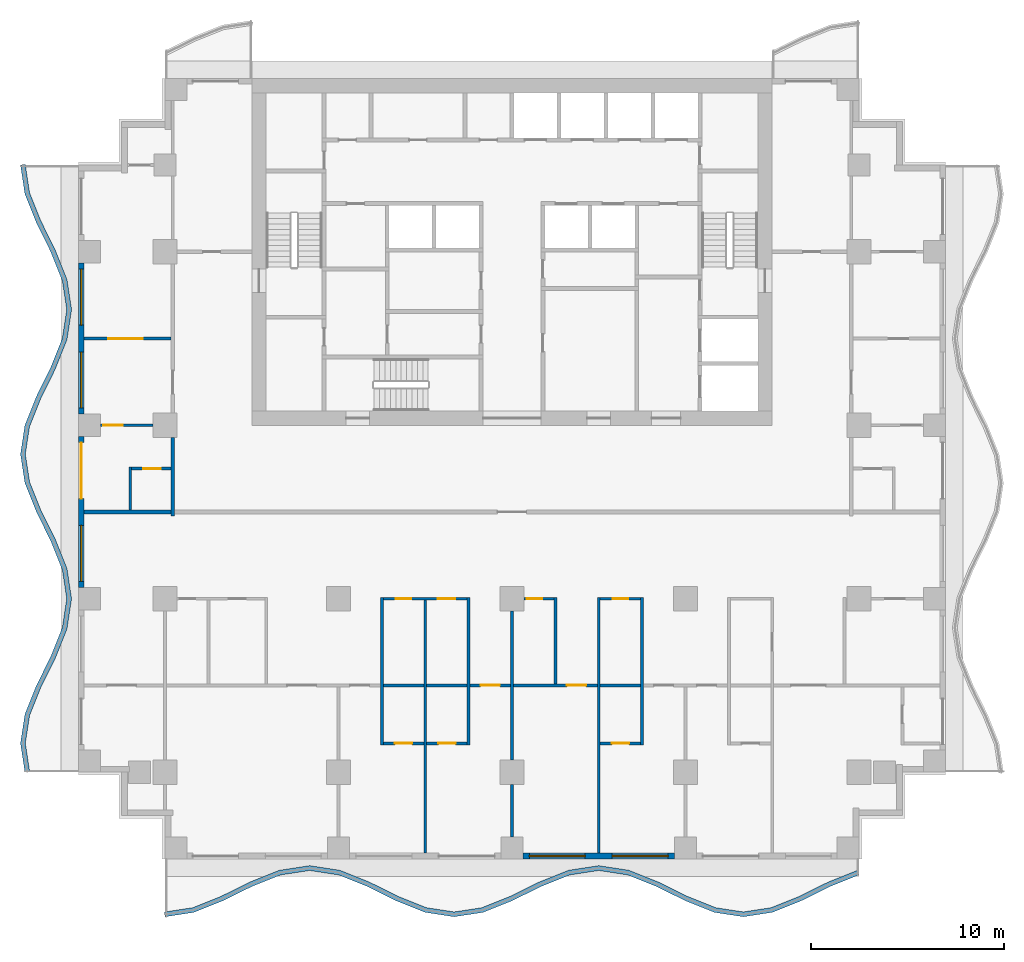
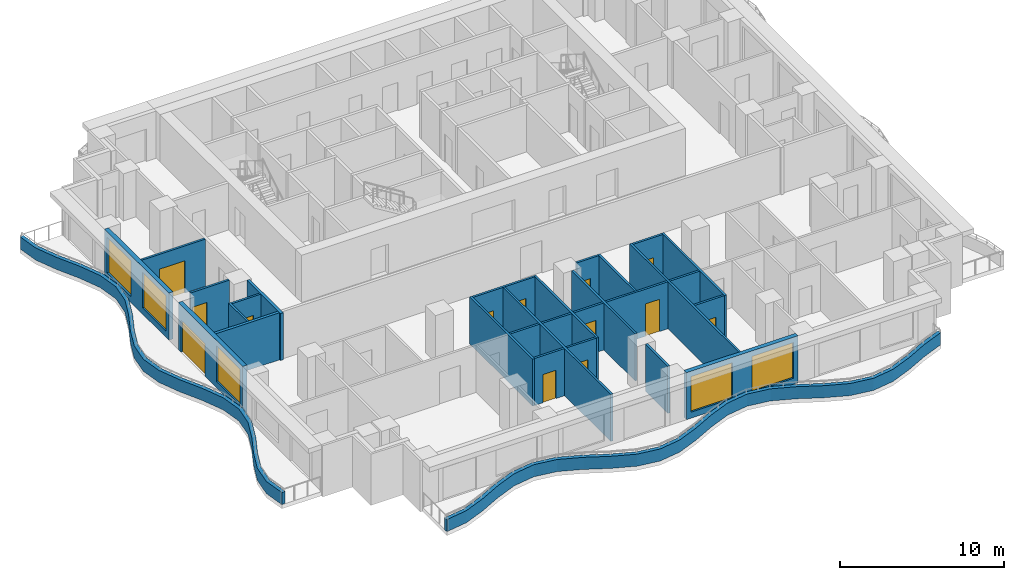
# One storey, part 2 of 10: 30 walls, 13 doors, 5 windows, 18 openings.
"""IFC4 building model written with IfcOpenShell, lengths in metres."""

from ifc_helpers import new_model, si_unit, direction, frame, frame_2d, origin, place, context, subcontext, project, spatial, polyline, rectangle, outline, extrude, material, layer, layer_set, type_object, element, fill, save


model = new_model("IFC4")

# Units and contexts
model_context = context("Model", 3, precision=1e-05, world=origin(), true_north=direction((0.0, 1.0)))
body_context = subcontext(model_context, "Body", "Model", "MODEL_VIEW")
ifc_project = project(units=[si_unit("LENGTHUNIT", "METRE"), si_unit("AREAUNIT", "SQUARE_METRE"), si_unit("VOLUMEUNIT", "CUBIC_METRE"), si_unit("PLANEANGLEUNIT", "RADIAN"), si_unit("MASSUNIT", "GRAM", prefix="KILO")], contexts=[model_context])

# Site, building, storey
site_placement = place(None, origin())
site = spatial("IfcSite", under=ifc_project, at=site_placement, CompositionType="ELEMENT")
building_placement = place(site_placement, origin())
building = spatial("IfcBuilding", under=site, at=building_placement, Name="Orbiselva Terraces", CompositionType="ELEMENT")
storey_placement = place(building_placement, frame((0.0, 0.0, 151.6)))
storey = spatial("IfcBuildingStorey", under=building, at=storey_placement, Name="L38", CompositionType="ELEMENT", Elevation=151.6)

# Walls
ifc_material_1 = material(Name="Concrete C40/50", Category="concrete")
ifc_layer_1 = layer(ifc_material_1, 0.25)
ifc_layer_set_1 = layer_set([ifc_layer_1], Name="Concrete C40/50")
wall_type_1 = type_object("IfcWallType", Name="ENV-PLANTER-250x900", PredefinedType="USERDEFINED", material=ifc_layer_set_1)
wall_1_placement = place(storey_placement, origin())
element("IfcWall", 1, at=wall_1_placement, inside=storey, type_object=wall_type_1, Name="Balcony planter L38 S", ObjectType="PLANTER", PredefinedType="USERDEFINED", context=body_context, shape_type="SweptSolid", body=[
    extrude(outline(polyline([(-18.0, -21.0), (-16.5, -20.77082), (-15.0, -20.17082), (-13.5, -19.42918), (-12.0, -18.82918), (-10.5, -18.6), (-9.0, -18.82918), (-7.5, -19.42918), (-6.0, -20.17082), (-4.5, -20.77082), (-3.0, -21.0), (-1.5, -20.77082), (0.0, -20.17082), (1.5, -19.42918), (3.0, -18.82918), (4.5, -18.6), (6.0, -18.82918), (7.5, -19.42918), (9.0, -20.17082), (10.5, -20.77082), (12.0, -21.0), (13.5, -20.77082), (15.0, -20.17082), (16.5, -19.42918), (18.0, -18.82918), (17.907152, -18.597061), (16.398017, -19.200715), (14.898017, -19.942355), (13.433834, -20.528028), (12.0, -20.747099), (10.566166, -20.528028), (9.101983, -19.942355), (7.601983, -19.200715), (6.066166, -18.586388), (4.5, -18.347099), (2.933834, -18.586388), (1.398017, -19.200715), (-0.101983, -19.942355), (-1.566166, -20.528028), (-3.0, -20.747099), (-4.433834, -20.528028), (-5.898017, -19.942355), (-7.398017, -19.200715), (-8.933834, -18.586388), (-10.5, -18.347099), (-12.066166, -18.586388), (-13.601983, -19.200715), (-15.101983, -19.942355), (-16.566166, -20.528028), (-18.037758, -20.752868), (-18.0, -21.0)])), origin(), (0.0, 0.0, 1.0), 0.9),
])
wall_2_placement = place(storey_placement, origin())
element("IfcWall", 2, at=wall_2_placement, inside=storey, type_object=wall_type_1, Name="Balcony planter L38 W", ObjectType="PLANTER", PredefinedType="USERDEFINED", context=body_context, shape_type="SweptSolid", body=[
    extrude(outline(polyline([(-25.5, 18.0), (-25.27082, 16.5), (-24.67082, 15.0), (-23.92918, 13.5), (-23.32918, 12.0), (-23.1, 10.5), (-23.32918, 9.0), (-23.92918, 7.5), (-24.67082, 6.0), (-25.27082, 4.5), (-25.5, 3.0), (-25.27082, 1.5), (-24.67082, 0.0), (-23.92918, -1.5), (-23.32918, -3.0), (-23.1, -4.5), (-23.32918, -6.0), (-23.92918, -7.5), (-24.67082, -9.0), (-25.27082, -10.5), (-25.5, -12.0), (-25.27082, -13.5), (-25.023688, -13.462242), (-25.247099, -12.0), (-25.028028, -10.566166), (-24.442355, -9.101983), (-23.700715, -7.601983), (-23.086388, -6.066166), (-22.847099, -4.5), (-23.086388, -2.933834), (-23.700715, -1.398017), (-24.442355, 0.101983), (-25.028028, 1.566166), (-25.247099, 3.0), (-25.028028, 4.433834), (-24.442355, 5.898017), (-23.700715, 7.398017), (-23.086388, 8.933834), (-22.847099, 10.5), (-23.086388, 12.066166), (-23.700715, 13.601983), (-24.442355, 15.101983), (-25.028028, 16.566166), (-25.252868, 18.037758), (-25.5, 18.0)])), origin(), (0.0, 0.0, 1.0), 0.9),
])

# Wall, openings, windows
ifc_material_2 = material(Name="Terracotta cladding on masonry backing", Category="masonry")
ifc_layer_2 = layer(ifc_material_2, 0.3)
ifc_layer_set_2 = layer_set([ifc_layer_2], Name="Terracotta cladding on masonry backing")
wall_type_2 = type_object("IfcWallType", Name="ENV-WALL-TERRACOTTA-300", PredefinedType="SOLIDWALL", material=ifc_layer_set_2)
wall_3_placement = place(storey_placement, frame((8.425, -17.85, 0.0), z_axis=(0.0, 0.0, 1.0), x_axis=(-1.0, 0.0, 0.0)))
wall_3 = element("IfcWall", 3, at=wall_3_placement, inside=storey, type_object=wall_type_2, Name="Facade wall L38 S", PredefinedType="SOLIDWALL", context=body_context, shape_type="SweptSolid", body=[
    extrude(rectangle(XDim=7.85, YDim=0.3, at=frame_2d((3.925, 0.0))), origin(), (0.0, 0.0, 1.0), 3.5),
])
opening_1_placement = place(wall_3_placement, frame((4.625, 0.0, 0.45)))
opening_1 = element("IfcOpeningElement", 4, at=opening_1_placement, cuts=wall_3, Name="Opening WN8", PredefinedType="OPENING", context=body_context, shape_type="SweptSolid", body=[
    extrude(rectangle(XDim=2.9, YDim=2.65, at=frame_2d((1.45, 1.325))), frame((0.0, 0.16, 0.0), z_axis=(0.0, -1.0, 0.0), x_axis=(1.0, 0.0, 0.0)), (0.0, 0.0, 1.0), 0.32),
])
opening_2_placement = place(wall_3_placement, frame((0.325, 0.0, 0.45)))
opening_2 = element("IfcOpeningElement", 5, at=opening_2_placement, cuts=wall_3, Name="Opening WN8", PredefinedType="OPENING", context=body_context, shape_type="SweptSolid", body=[
    extrude(rectangle(XDim=2.9, YDim=2.65, at=frame_2d((1.45, 1.325))), frame((0.0, 0.16, 0.0), z_axis=(0.0, -1.0, 0.0), x_axis=(1.0, 0.0, 0.0)), (0.0, 0.0, 1.0), 0.32),
])
ifc_material_3 = material(Name="Clear low-e glazing in aluminium frame", Category="aluminium")
window_type = type_object("IfcWindowType", Name="WINDOW 2900 X 2650 S450", PartitioningType="TRIPLE_PANEL_VERTICAL", PredefinedType="WINDOW", material=ifc_material_3)
window_1_placement = place(opening_1_placement, origin())
window_1 = element("IfcWindow", 6, at=window_1_placement, inside=storey, type_object=window_type, Name="Window L38 S", OverallHeight=2.65, OverallWidth=2.9, PartitioningType="SINGLE_PANEL", PredefinedType="WINDOW", context=body_context, shape_type="SweptSolid", body=[
    extrude(rectangle(XDim=2.9, YDim=2.65, at=frame_2d((1.45, 1.325))), frame((0.0, 0.03, 0.0), z_axis=(0.0, -1.0, 0.0), x_axis=(1.0, 0.0, 0.0)), (0.0, 0.0, 1.0), 0.06),
])
fill(opening_1, window_1)
window_2_placement = place(opening_2_placement, origin())
window_2 = element("IfcWindow", 7, at=window_2_placement, inside=storey, type_object=window_type, Name="Window L38 S", OverallHeight=2.65, OverallWidth=2.9, PartitioningType="SINGLE_PANEL", PredefinedType="WINDOW", context=body_context, shape_type="SweptSolid", body=[
    extrude(rectangle(XDim=2.9, YDim=2.65, at=frame_2d((1.45, 1.325))), frame((0.0, 0.03, 0.0), z_axis=(0.0, -1.0, 0.0), x_axis=(1.0, 0.0, 0.0)), (0.0, 0.0, 1.0), 0.06),
])
fill(opening_2, window_2)

wall_4_placement = place(storey_placement, frame((-22.35, 5.075, 0.0), z_axis=(0.0, 0.0, 1.0), x_axis=(0.0, 1.0, 0.0)))
wall_4 = element("IfcWall", 8, at=wall_4_placement, inside=storey, type_object=wall_type_2, Name="Facade wall L38 W", PredefinedType="SOLIDWALL", context=body_context, shape_type="SweptSolid", body=[
    extrude(rectangle(XDim=7.85, YDim=0.3, at=frame_2d((3.925, 0.0))), origin(), (0.0, 0.0, 1.0), 3.5),
])
opening_3_placement = place(wall_4_placement, frame((4.625, 0.0, 0.45)))
opening_3 = element("IfcOpeningElement", 9, at=opening_3_placement, cuts=wall_4, Name="Opening WN8", PredefinedType="OPENING", context=body_context, shape_type="SweptSolid", body=[
    extrude(rectangle(XDim=2.9, YDim=2.65, at=frame_2d((1.45, 1.325))), frame((0.0, 0.16, 0.0), z_axis=(0.0, -1.0, 0.0), x_axis=(1.0, 0.0, 0.0)), (0.0, 0.0, 1.0), 0.32),
])
opening_4_placement = place(wall_4_placement, frame((0.325, 0.0, 0.45)))
opening_4 = element("IfcOpeningElement", 10, at=opening_4_placement, cuts=wall_4, Name="Opening WN8", PredefinedType="OPENING", context=body_context, shape_type="SweptSolid", body=[
    extrude(rectangle(XDim=2.9, YDim=2.65, at=frame_2d((1.45, 1.325))), frame((0.0, 0.16, 0.0), z_axis=(0.0, -1.0, 0.0), x_axis=(1.0, 0.0, 0.0)), (0.0, 0.0, 1.0), 0.32),
])
window_3_placement = place(opening_3_placement, origin())
window_3 = element("IfcWindow", 11, at=window_3_placement, inside=storey, type_object=window_type, Name="Window L38 W", OverallHeight=2.65, OverallWidth=2.9, PartitioningType="SINGLE_PANEL", PredefinedType="WINDOW", context=body_context, shape_type="SweptSolid", body=[
    extrude(rectangle(XDim=2.9, YDim=2.65, at=frame_2d((1.45, 1.325))), frame((0.0, 0.03, 0.0), z_axis=(0.0, -1.0, 0.0), x_axis=(1.0, 0.0, 0.0)), (0.0, 0.0, 1.0), 0.06),
])
fill(opening_3, window_3)
window_4_placement = place(opening_4_placement, origin())
window_4 = element("IfcWindow", 12, at=window_4_placement, inside=storey, type_object=window_type, Name="Window L38 W", OverallHeight=2.65, OverallWidth=2.9, PartitioningType="SINGLE_PANEL", PredefinedType="WINDOW", context=body_context, shape_type="SweptSolid", body=[
    extrude(rectangle(XDim=2.9, YDim=2.65, at=frame_2d((1.45, 1.325))), frame((0.0, 0.03, 0.0), z_axis=(0.0, -1.0, 0.0), x_axis=(1.0, 0.0, 0.0)), (0.0, 0.0, 1.0), 0.06),
])
fill(opening_4, window_4)

# Wall, openings, door, window
wall_5_placement = place(storey_placement, frame((-22.35, -3.925, 0.0), z_axis=(0.0, 0.0, 1.0), x_axis=(0.0, 1.0, 0.0)))
wall_5 = element("IfcWall", 13, at=wall_5_placement, inside=storey, type_object=wall_type_2, Name="Facade wall L38 W", PredefinedType="SOLIDWALL", context=body_context, shape_type="SweptSolid", body=[
    extrude(rectangle(XDim=7.85, YDim=0.3, at=frame_2d((3.925, 0.0))), origin(), (0.0, 0.0, 1.0), 3.5),
])
opening_5_placement = place(wall_5_placement, frame((4.625, 0.0, 0.0)))
opening_5 = element("IfcOpeningElement", 14, at=opening_5_placement, cuts=wall_5, Name="Opening Z3-C-E11", PredefinedType="OPENING", context=body_context, shape_type="SweptSolid", body=[
    extrude(rectangle(XDim=2.9, YDim=2.4, at=frame_2d((1.45, 1.2))), frame((0.0, 0.16, 0.0), z_axis=(0.0, -1.0, 0.0), x_axis=(1.0, 0.0, 0.0)), (0.0, 0.0, 1.0), 0.32),
])
opening_6_placement = place(wall_5_placement, frame((0.325, 0.0, 0.45)))
opening_6 = element("IfcOpeningElement", 15, at=opening_6_placement, cuts=wall_5, Name="Opening WN8", PredefinedType="OPENING", context=body_context, shape_type="SweptSolid", body=[
    extrude(rectangle(XDim=2.9, YDim=2.65, at=frame_2d((1.45, 1.325))), frame((0.0, 0.16, 0.0), z_axis=(0.0, -1.0, 0.0), x_axis=(1.0, 0.0, 0.0)), (0.0, 0.0, 1.0), 0.32),
])
door_type_1 = type_object("IfcDoorType", Name="BALCONY DOOR 2900 X 2400", OperationType="DOUBLE_DOOR_SLIDING", PredefinedType="DOOR", material=ifc_material_3)
door_1_placement = place(opening_5_placement, origin())
door_1 = element("IfcDoor", 16, at=door_1_placement, inside=storey, type_object=door_type_1, Name="Z3-C-E11", OperationType="SINGLE_SWING_LEFT", OverallHeight=2.4, OverallWidth=2.9, PredefinedType="DOOR", context=body_context, shape_type="SweptSolid", body=[
    extrude(rectangle(XDim=2.9, YDim=2.4, at=frame_2d((1.45, 1.2))), frame((0.0, 0.025, 0.0), z_axis=(0.0, -1.0, 0.0), x_axis=(1.0, 0.0, 0.0)), (0.0, 0.0, 1.0), 0.05),
])
fill(opening_5, door_1)
window_5_placement = place(opening_6_placement, origin())
window_5 = element("IfcWindow", 17, at=window_5_placement, inside=storey, type_object=window_type, Name="Window L38 W", OverallHeight=2.65, OverallWidth=2.9, PartitioningType="SINGLE_PANEL", PredefinedType="WINDOW", context=body_context, shape_type="SweptSolid", body=[
    extrude(rectangle(XDim=2.9, YDim=2.65, at=frame_2d((1.45, 1.325))), frame((0.0, 0.03, 0.0), z_axis=(0.0, -1.0, 0.0), x_axis=(1.0, 0.0, 0.0)), (0.0, 0.0, 1.0), 0.06),
])
fill(opening_6, window_5)

# Wall
ifc_material_4 = material(Name="Plasterboard on steel stud partition", Category="steel")
ifc_layer_3 = layer(ifc_material_4, 0.2)
ifc_layer_set_3 = layer_set([ifc_layer_3], Name="Plasterboard on steel stud partition")
wall_type_3 = type_object("IfcWallType", Name="UNIT-ENTRANCE-WALL-200", PredefinedType="PARTITIONING", material=ifc_layer_set_3)
wall_6_placement = place(storey_placement, frame((-17.6, -0.2, 0.0), z_axis=(0.0, 0.0, 1.0), x_axis=(0.0, 1.0, 0.0)))
element("IfcWall", 18, at=wall_6_placement, inside=storey, type_object=wall_type_3, Name="PARTITION L38-038", PredefinedType="PARTITIONING", context=body_context, shape_type="SweptSolid", body=[
    extrude(rectangle(XDim=4.075, YDim=0.2, at=frame_2d((2.0375, 0.0))), origin(), (0.0, 0.0, 1.0), 3.5),
])

# Wall, opening, door
ifc_layer_4 = layer(ifc_material_4, 0.15)
ifc_layer_set_4 = layer_set([ifc_layer_4], Name="Plasterboard on steel stud partition")
wall_type_4 = type_object("IfcWallType", Name="UNIT-PARTITION-150", PredefinedType="PARTITIONING", material=ifc_layer_set_4)
wall_7_placement = place(storey_placement, frame((-6.675, -12.0, 0.0), z_axis=(0.0, 0.0, 1.0), x_axis=(1.0, 0.0, 0.0)))
wall_7 = element("IfcWall", 19, at=wall_7_placement, inside=storey, type_object=wall_type_4, Name="PARTITION L38-001", PredefinedType="PARTITIONING", context=body_context, shape_type="SweptSolid", body=[
    extrude(rectangle(XDim=2.1, YDim=0.15, at=frame_2d((1.05, 0.0))), origin(), (0.0, 0.0, 1.0), 3.5),
])
opening_7_placement = place(wall_7_placement, frame((0.6, 0.0, 0.0)))
opening_7 = element("IfcOpeningElement", 20, at=opening_7_placement, cuts=wall_7, Name="Opening Z3-C-32", PredefinedType="OPENING", context=body_context, shape_type="SweptSolid", body=[
    extrude(rectangle(XDim=0.9, YDim=2.1, at=frame_2d((0.45, 1.05))), frame((0.0, 0.085, 0.0), z_axis=(0.0, -1.0, 0.0), x_axis=(1.0, 0.0, 0.0)), (0.0, 0.0, 1.0), 0.17),
])
ifc_material_5 = material(Name="Painted timber door leaf", Category="wood")
door_type_2 = type_object("IfcDoorType", Name="BATH DOOR 900", OperationType="NOTDEFINED", PredefinedType="DOOR", material=ifc_material_5)
door_2_placement = place(opening_7_placement, origin())
door_2 = element("IfcDoor", 21, at=door_2_placement, inside=storey, type_object=door_type_2, Name="Z3-C-32", OperationType="SINGLE_SWING_LEFT", OverallHeight=2.1, OverallWidth=0.9, PredefinedType="DOOR", context=body_context, shape_type="SweptSolid", body=[
    extrude(rectangle(XDim=0.9, YDim=2.1, at=frame_2d((0.45, 1.05))), frame((0.0, 0.025, 0.0), z_axis=(0.0, -1.0, 0.0), x_axis=(1.0, 0.0, 0.0)), (0.0, 0.0, 1.0), 0.05),
])
fill(opening_7, door_2)

wall_8_placement = place(storey_placement, frame((-4.425, -12.0, 0.0), z_axis=(0.0, 0.0, 1.0), x_axis=(1.0, 0.0, 0.0)))
wall_8 = element("IfcWall", 22, at=wall_8_placement, inside=storey, type_object=wall_type_4, Name="PARTITION L38-002", PredefinedType="PARTITIONING", context=body_context, shape_type="SweptSolid", body=[
    extrude(rectangle(XDim=2.1, YDim=0.15, at=frame_2d((1.05, 0.0))), origin(), (0.0, 0.0, 1.0), 3.5),
])
opening_8_placement = place(wall_8_placement, frame((0.6, 0.0, 0.0)))
opening_8 = element("IfcOpeningElement", 23, at=opening_8_placement, cuts=wall_8, Name="Opening Z3-C-30", PredefinedType="OPENING", context=body_context, shape_type="SweptSolid", body=[
    extrude(rectangle(XDim=0.9, YDim=2.1, at=frame_2d((0.45, 1.05))), frame((0.0, 0.085, 0.0), z_axis=(0.0, -1.0, 0.0), x_axis=(1.0, 0.0, 0.0)), (0.0, 0.0, 1.0), 0.17),
])
door_3_placement = place(opening_8_placement, origin())
door_3 = element("IfcDoor", 24, at=door_3_placement, inside=storey, type_object=door_type_2, Name="Z3-C-30", OperationType="SINGLE_SWING_RIGHT", OverallHeight=2.1, OverallWidth=0.9, PredefinedType="DOOR", context=body_context, shape_type="SweptSolid", body=[
    extrude(rectangle(XDim=0.9, YDim=2.1, at=frame_2d((0.45, 1.05))), frame((0.0, 0.025, 0.0), z_axis=(0.0, -1.0, 0.0), x_axis=(1.0, 0.0, 0.0)), (0.0, 0.0, 1.0), 0.05),
])
fill(opening_8, door_3)

wall_9_placement = place(storey_placement, frame((4.575, -12.0, 0.0), z_axis=(0.0, 0.0, 1.0), x_axis=(1.0, 0.0, 0.0)))
wall_9 = element("IfcWall", 25, at=wall_9_placement, inside=storey, type_object=wall_type_4, Name="PARTITION L38-003", PredefinedType="PARTITIONING", context=body_context, shape_type="SweptSolid", body=[
    extrude(rectangle(XDim=2.1, YDim=0.15, at=frame_2d((1.05, 0.0))), origin(), (0.0, 0.0, 1.0), 3.5),
])
opening_9_placement = place(wall_9_placement, frame((0.6, 0.0, 0.0)))
opening_9 = element("IfcOpeningElement", 26, at=opening_9_placement, cuts=wall_9, Name="Opening Z3-C-27", PredefinedType="OPENING", context=body_context, shape_type="SweptSolid", body=[
    extrude(rectangle(XDim=0.9, YDim=2.1, at=frame_2d((0.45, 1.05))), frame((0.0, 0.085, 0.0), z_axis=(0.0, -1.0, 0.0), x_axis=(1.0, 0.0, 0.0)), (0.0, 0.0, 1.0), 0.17),
])
door_4_placement = place(opening_9_placement, origin())
door_4 = element("IfcDoor", 27, at=door_4_placement, inside=storey, type_object=door_type_2, Name="Z3-C-27", OperationType="SINGLE_SWING_LEFT", OverallHeight=2.1, OverallWidth=0.9, PredefinedType="DOOR", context=body_context, shape_type="SweptSolid", body=[
    extrude(rectangle(XDim=0.9, YDim=2.1, at=frame_2d((0.45, 1.05))), frame((0.0, 0.025, 0.0), z_axis=(0.0, -1.0, 0.0), x_axis=(1.0, 0.0, 0.0)), (0.0, 0.0, 1.0), 0.05),
])
fill(opening_9, door_4)

# Walls
for number, where, z_axis, x_axis, name in (
    (28, (-6.675, -9.0, 0.0), (0.0, 0.0, 1.0), (1.0, 0.0, 0.0), "PARTITION L38-008"),
    (29, (-4.425, -9.0, 0.0), (0.0, 0.0, 1.0), (1.0, 0.0, 0.0), "PARTITION L38-009"),
):
    element("IfcWall", number, at=place(storey_placement, frame(where, z_axis=z_axis, x_axis=x_axis)), inside=storey, type_object=wall_type_4, Name=name, PredefinedType="PARTITIONING", context=body_context, shape_type="SweptSolid", body=[
        extrude(rectangle(XDim=2.1, YDim=0.15, at=frame_2d((1.05, 0.0))), origin(), (0.0, 0.0, 1.0), 3.5),
    ])

# Wall, opening, door
wall_10_placement = place(storey_placement, frame((-0.075, -9.0, 0.0), z_axis=(0.0, 0.0, 1.0), x_axis=(-1.0, 0.0, 0.0)))
wall_10 = element("IfcWall", 30, at=wall_10_placement, inside=storey, type_object=wall_type_4, Name="PARTITION L38-010", PredefinedType="PARTITIONING", context=body_context, shape_type="SweptSolid", body=[
    extrude(rectangle(XDim=2.1, YDim=0.15, at=frame_2d((1.05, 0.0))), origin(), (0.0, 0.0, 1.0), 3.5),
])
opening_10_placement = place(wall_10_placement, frame((0.55, 0.0, 0.0)))
opening_10 = element("IfcOpeningElement", 31, at=opening_10_placement, cuts=wall_10, Name="Opening Z3-C-29", PredefinedType="OPENING", context=body_context, shape_type="SweptSolid", body=[
    extrude(rectangle(XDim=1.0, YDim=2.4, at=frame_2d((0.5, 1.2))), frame((0.0, 0.085, 0.0), z_axis=(0.0, -1.0, 0.0), x_axis=(1.0, 0.0, 0.0)), (0.0, 0.0, 1.0), 0.17),
])
door_type_3 = type_object("IfcDoorType", Name="ROOM DOOR 1000", OperationType="NOTDEFINED", PredefinedType="DOOR", material=ifc_material_5)
door_5_placement = place(opening_10_placement, origin())
door_5 = element("IfcDoor", 32, at=door_5_placement, inside=storey, type_object=door_type_3, Name="Z3-C-29", OperationType="SINGLE_SWING_RIGHT", OverallHeight=2.4, OverallWidth=1.0, PredefinedType="DOOR", context=body_context, shape_type="SweptSolid", body=[
    extrude(rectangle(XDim=1.0, YDim=2.4, at=frame_2d((0.5, 1.2))), frame((0.0, 0.025, 0.0), z_axis=(0.0, -1.0, 0.0), x_axis=(1.0, 0.0, 0.0)), (0.0, 0.0, 1.0), 0.05),
])
fill(opening_10, door_5)

wall_11_placement = place(storey_placement, frame((4.425, -9.0, 0.0), z_axis=(0.0, 0.0, 1.0), x_axis=(-1.0, 0.0, 0.0)))
wall_11 = element("IfcWall", 33, at=wall_11_placement, inside=storey, type_object=wall_type_4, Name="PARTITION L38-011", PredefinedType="PARTITIONING", context=body_context, shape_type="SweptSolid", body=[
    extrude(rectangle(XDim=4.35, YDim=0.15, at=frame_2d((2.175, 0.0))), origin(), (0.0, 0.0, 1.0), 3.5),
])
opening_11_placement = place(wall_11_placement, frame((0.575, 0.0, 0.0)))
opening_11 = element("IfcOpeningElement", 34, at=opening_11_placement, cuts=wall_11, Name="Opening Z3-C-28", PredefinedType="OPENING", context=body_context, shape_type="SweptSolid", body=[
    extrude(rectangle(XDim=1.0, YDim=2.4, at=frame_2d((0.5, 1.2))), frame((0.0, 0.085, 0.0), z_axis=(0.0, -1.0, 0.0), x_axis=(1.0, 0.0, 0.0)), (0.0, 0.0, 1.0), 0.17),
])
door_6_placement = place(opening_11_placement, origin())
door_6 = element("IfcDoor", 35, at=door_6_placement, inside=storey, type_object=door_type_3, Name="Z3-C-28", OperationType="SINGLE_SWING_LEFT", OverallHeight=2.4, OverallWidth=1.0, PredefinedType="DOOR", context=body_context, shape_type="SweptSolid", body=[
    extrude(rectangle(XDim=1.0, YDim=2.4, at=frame_2d((0.5, 1.2))), frame((0.0, 0.025, 0.0), z_axis=(0.0, -1.0, 0.0), x_axis=(1.0, 0.0, 0.0)), (0.0, 0.0, 1.0), 0.05),
])
fill(opening_11, door_6)

# Wall
wall_12_placement = place(storey_placement, frame((4.575, -9.0, 0.0), z_axis=(0.0, 0.0, 1.0), x_axis=(1.0, 0.0, 0.0)))
element("IfcWall", 36, at=wall_12_placement, inside=storey, type_object=wall_type_4, Name="PARTITION L38-012", PredefinedType="PARTITIONING", context=body_context, shape_type="SweptSolid", body=[
    extrude(rectangle(XDim=2.1, YDim=0.15, at=frame_2d((1.05, 0.0))), origin(), (0.0, 0.0, 1.0), 3.5),
])

# Wall, openings, doors
wall_13_placement = place(storey_placement, frame((-2.325, -4.5, 0.0), z_axis=(0.0, 0.0, 1.0), x_axis=(-1.0, 0.0, 0.0)))
wall_13 = element("IfcWall", 37, at=wall_13_placement, inside=storey, type_object=wall_type_4, Name="PARTITION L38-017", PredefinedType="PARTITIONING", context=body_context, shape_type="SweptSolid", body=[
    extrude(rectangle(XDim=4.35, YDim=0.15, at=frame_2d((2.175, 0.0))), origin(), (0.0, 0.0, 1.0), 3.5),
])
opening_12_placement = place(wall_13_placement, frame((0.625, 0.0, 0.0)))
opening_12 = element("IfcOpeningElement", 38, at=opening_12_placement, cuts=wall_13, Name="Opening Z3-C-18", PredefinedType="OPENING", context=body_context, shape_type="SweptSolid", body=[
    extrude(rectangle(XDim=0.9, YDim=2.1, at=frame_2d((0.45, 1.05))), frame((0.0, 0.085, 0.0), z_axis=(0.0, -1.0, 0.0), x_axis=(1.0, 0.0, 0.0)), (0.0, 0.0, 1.0), 0.17),
])
opening_13_placement = place(wall_13_placement, frame((2.9, 0.0, 0.0)))
opening_13 = element("IfcOpeningElement", 39, at=opening_13_placement, cuts=wall_13, Name="Opening Z3-C-19", PredefinedType="OPENING", context=body_context, shape_type="SweptSolid", body=[
    extrude(rectangle(XDim=0.8, YDim=2.0, at=frame_2d((0.4, 1.0))), frame((0.0, 0.085, 0.0), z_axis=(0.0, -1.0, 0.0), x_axis=(1.0, 0.0, 0.0)), (0.0, 0.0, 1.0), 0.17),
])
door_type_4 = type_object("IfcDoorType", Name="SERVICE DOOR 900", OperationType="NOTDEFINED", PredefinedType="DOOR", material=ifc_material_5)
door_7_placement = place(opening_12_placement, origin())
door_7 = element("IfcDoor", 40, at=door_7_placement, inside=storey, type_object=door_type_4, Name="Z3-C-18", OperationType="SINGLE_SWING_LEFT", OverallHeight=2.1, OverallWidth=0.9, PredefinedType="DOOR", context=body_context, shape_type="SweptSolid", body=[
    extrude(rectangle(XDim=0.9, YDim=2.1, at=frame_2d((0.45, 1.05))), frame((0.0, 0.025, 0.0), z_axis=(0.0, -1.0, 0.0), x_axis=(1.0, 0.0, 0.0)), (0.0, 0.0, 1.0), 0.05),
])
fill(opening_12, door_7)
door_type_5 = type_object("IfcDoorType", Name="STORE DOOR 800", OperationType="NOTDEFINED", PredefinedType="DOOR", material=ifc_material_5)
door_8_placement = place(opening_13_placement, origin())
door_8 = element("IfcDoor", 41, at=door_8_placement, inside=storey, type_object=door_type_5, Name="Z3-C-19", OperationType="SINGLE_SWING_RIGHT", OverallHeight=2.0, OverallWidth=0.8, PredefinedType="DOOR", context=body_context, shape_type="SweptSolid", body=[
    extrude(rectangle(XDim=0.8, YDim=2.0, at=frame_2d((0.4, 1.0))), frame((0.0, 0.025, 0.0), z_axis=(0.0, -1.0, 0.0), x_axis=(1.0, 0.0, 0.0)), (0.0, 0.0, 1.0), 0.05),
])
fill(opening_13, door_8)

# Wall, opening, door
wall_14_placement = place(storey_placement, frame((2.175, -4.5, 0.0), z_axis=(0.0, 0.0, 1.0), x_axis=(-1.0, 0.0, 0.0)))
wall_14 = element("IfcWall", 42, at=wall_14_placement, inside=storey, type_object=wall_type_4, Name="PARTITION L38-018", PredefinedType="PARTITIONING", context=body_context, shape_type="SweptSolid", body=[
    extrude(rectangle(XDim=1.55, YDim=0.15, at=frame_2d((0.775, 0.0))), origin(), (0.0, 0.0, 1.0), 3.5),
])
opening_14_placement = place(wall_14_placement, frame((0.6, 0.0, 0.0)))
opening_14 = element("IfcOpeningElement", 43, at=opening_14_placement, cuts=wall_14, Name="Opening Z3-C-17", PredefinedType="OPENING", context=body_context, shape_type="SweptSolid", body=[
    extrude(rectangle(XDim=0.8, YDim=2.0, at=frame_2d((0.4, 1.0))), frame((0.0, 0.085, 0.0), z_axis=(0.0, -1.0, 0.0), x_axis=(1.0, 0.0, 0.0)), (0.0, 0.0, 1.0), 0.17),
])
door_9_placement = place(opening_14_placement, origin())
door_9 = element("IfcDoor", 44, at=door_9_placement, inside=storey, type_object=door_type_5, Name="Z3-C-17", OperationType="SINGLE_SWING_RIGHT", OverallHeight=2.0, OverallWidth=0.8, PredefinedType="DOOR", context=body_context, shape_type="SweptSolid", body=[
    extrude(rectangle(XDim=0.8, YDim=2.0, at=frame_2d((0.4, 1.0))), frame((0.0, 0.025, 0.0), z_axis=(0.0, -1.0, 0.0), x_axis=(1.0, 0.0, 0.0)), (0.0, 0.0, 1.0), 0.05),
])
fill(opening_14, door_9)

wall_15_placement = place(storey_placement, frame((6.675, -4.5, 0.0), z_axis=(0.0, 0.0, 1.0), x_axis=(-1.0, 0.0, 0.0)))
wall_15 = element("IfcWall", 45, at=wall_15_placement, inside=storey, type_object=wall_type_4, Name="PARTITION L38-019", PredefinedType="PARTITIONING", context=body_context, shape_type="SweptSolid", body=[
    extrude(rectangle(XDim=2.1, YDim=0.15, at=frame_2d((1.05, 0.0))), origin(), (0.0, 0.0, 1.0), 3.5),
])
opening_15_placement = place(wall_15_placement, frame((0.65, 0.0, 0.0)))
opening_15 = element("IfcOpeningElement", 46, at=opening_15_placement, cuts=wall_15, Name="Opening Z3-C-16", PredefinedType="OPENING", context=body_context, shape_type="SweptSolid", body=[
    extrude(rectangle(XDim=0.8, YDim=2.0, at=frame_2d((0.4, 1.0))), frame((0.0, 0.085, 0.0), z_axis=(0.0, -1.0, 0.0), x_axis=(1.0, 0.0, 0.0)), (0.0, 0.0, 1.0), 0.17),
])
door_10_placement = place(opening_15_placement, origin())
door_10 = element("IfcDoor", 47, at=door_10_placement, inside=storey, type_object=door_type_5, Name="Z3-C-16", OperationType="SINGLE_SWING_RIGHT", OverallHeight=2.0, OverallWidth=0.8, PredefinedType="DOOR", context=body_context, shape_type="SweptSolid", body=[
    extrude(rectangle(XDim=0.8, YDim=2.0, at=frame_2d((0.4, 1.0))), frame((0.0, 0.025, 0.0), z_axis=(0.0, -1.0, 0.0), x_axis=(1.0, 0.0, 0.0)), (0.0, 0.0, 1.0), 0.05),
])
fill(opening_15, door_10)

wall_16_placement = place(storey_placement, frame((-17.7, 2.25, 0.0), z_axis=(0.0, 0.0, 1.0), x_axis=(-1.0, 0.0, 0.0)))
wall_16 = element("IfcWall", 48, at=wall_16_placement, inside=storey, type_object=wall_type_4, Name="PARTITION L38-025", PredefinedType="PARTITIONING", context=body_context, shape_type="SweptSolid", body=[
    extrude(rectangle(XDim=2.03, YDim=0.15, at=frame_2d((1.015, 0.0))), origin(), (0.0, 0.0, 1.0), 3.5),
])
opening_16_placement = place(wall_16_placement, frame((0.53, 0.0, 0.0)))
opening_16 = element("IfcOpeningElement", 49, at=opening_16_placement, cuts=wall_16, Name="Opening Z3-C-04", PredefinedType="OPENING", context=body_context, shape_type="SweptSolid", body=[
    extrude(rectangle(XDim=0.9, YDim=2.1, at=frame_2d((0.45, 1.05))), frame((0.0, 0.085, 0.0), z_axis=(0.0, -1.0, 0.0), x_axis=(1.0, 0.0, 0.0)), (0.0, 0.0, 1.0), 0.17),
])
door_11_placement = place(opening_16_placement, origin())
door_11 = element("IfcDoor", 50, at=door_11_placement, inside=storey, type_object=door_type_2, Name="Z3-C-04", OperationType="SINGLE_SWING_LEFT", OverallHeight=2.1, OverallWidth=0.9, PredefinedType="DOOR", context=body_context, shape_type="SweptSolid", body=[
    extrude(rectangle(XDim=0.9, YDim=2.1, at=frame_2d((0.45, 1.05))), frame((0.0, 0.025, 0.0), z_axis=(0.0, -1.0, 0.0), x_axis=(1.0, 0.0, 0.0)), (0.0, 0.0, 1.0), 0.05),
])
fill(opening_16, door_11)

wall_17_placement = place(storey_placement, frame((-18.625, 4.5, 0.0), z_axis=(0.0, 0.0, 1.0), x_axis=(-1.0, 0.0, 0.0)))
wall_17 = element("IfcWall", 51, at=wall_17_placement, inside=storey, type_object=wall_type_4, Name="PARTITION L38-027", PredefinedType="PARTITIONING", context=body_context, shape_type="SweptSolid", body=[
    extrude(rectangle(XDim=2.725, YDim=0.15, at=frame_2d((1.3625, 0.0))), origin(), (0.0, 0.0, 1.0), 3.5),
])
opening_17_placement = place(wall_17_placement, frame((1.575, 0.0, 0.0)))
opening_17 = element("IfcOpeningElement", 52, at=opening_17_placement, cuts=wall_17, Name="Opening Z3-C-03", PredefinedType="OPENING", context=body_context, shape_type="SweptSolid", body=[
    extrude(rectangle(XDim=1.0, YDim=2.4, at=frame_2d((0.5, 1.2))), frame((0.0, 0.085, 0.0), z_axis=(0.0, -1.0, 0.0), x_axis=(1.0, 0.0, 0.0)), (0.0, 0.0, 1.0), 0.17),
])
door_12_placement = place(opening_17_placement, origin())
door_12 = element("IfcDoor", 53, at=door_12_placement, inside=storey, type_object=door_type_3, Name="Z3-C-03", OperationType="SINGLE_SWING_RIGHT", OverallHeight=2.4, OverallWidth=1.0, PredefinedType="DOOR", context=body_context, shape_type="SweptSolid", body=[
    extrude(rectangle(XDim=1.0, YDim=2.4, at=frame_2d((0.5, 1.2))), frame((0.0, 0.025, 0.0), z_axis=(0.0, -1.0, 0.0), x_axis=(1.0, 0.0, 0.0)), (0.0, 0.0, 1.0), 0.05),
])
fill(opening_17, door_12)

wall_18_placement = place(storey_placement, frame((-22.2, 9.0, 0.0), z_axis=(0.0, 0.0, 1.0), x_axis=(1.0, 0.0, 0.0)))
wall_18 = element("IfcWall", 54, at=wall_18_placement, inside=storey, type_object=wall_type_4, Name="PARTITION L38-029", PredefinedType="PARTITIONING", context=body_context, shape_type="SweptSolid", body=[
    extrude(rectangle(XDim=4.5, YDim=0.15, at=frame_2d((2.25, 0.0))), origin(), (0.0, 0.0, 1.0), 3.5),
])
opening_18_placement = place(wall_18_placement, frame((1.25, 0.0, 0.0)))
opening_18 = element("IfcOpeningElement", 55, at=opening_18_placement, cuts=wall_18, Name="Opening Z3-C-06", PredefinedType="OPENING", context=body_context, shape_type="SweptSolid", body=[
    extrude(rectangle(XDim=1.8, YDim=2.4, at=frame_2d((0.9, 1.2))), frame((0.0, 0.085, 0.0), z_axis=(0.0, -1.0, 0.0), x_axis=(1.0, 0.0, 0.0)), (0.0, 0.0, 1.0), 0.17),
])
door_type_6 = type_object("IfcDoorType", Name="DOUBLE DOOR 1800", OperationType="NOTDEFINED", PredefinedType="DOOR", material=ifc_material_5)
door_13_placement = place(opening_18_placement, origin())
door_13 = element("IfcDoor", 56, at=door_13_placement, inside=storey, type_object=door_type_6, Name="Z3-C-06", OperationType="DOUBLE_DOOR_SINGLE_SWING", OverallHeight=2.4, OverallWidth=1.8, PredefinedType="DOOR", context=body_context, shape_type="SweptSolid", body=[
    extrude(rectangle(XDim=1.8, YDim=2.4, at=frame_2d((0.9, 1.2))), frame((0.0, 0.025, 0.0), z_axis=(0.0, -1.0, 0.0), x_axis=(1.0, 0.0, 0.0)), (0.0, 0.0, 1.0), 0.05),
])
fill(opening_18, door_13)

# Walls
wall_19_placement = place(storey_placement, frame((-19.805, 0.1, 0.0), z_axis=(0.0, 0.0, 1.0), x_axis=(0.0, 1.0, 0.0)))
element("IfcWall", 57, at=wall_19_placement, inside=storey, type_object=wall_type_4, Name="PARTITION L38-035", PredefinedType="PARTITIONING", context=body_context, shape_type="SweptSolid", body=[
    extrude(rectangle(XDim=2.225, YDim=0.15, at=frame_2d((1.1125, 0.0))), origin(), (0.0, 0.0, 1.0), 3.5),
])
wall_20_placement = place(storey_placement, frame((-6.75, -12.075, 0.0), z_axis=(0.0, 0.0, 1.0), x_axis=(0.0, 1.0, 0.0)))
element("IfcWall", 58, at=wall_20_placement, inside=storey, type_object=wall_type_4, Name="PARTITION L38-046", PredefinedType="PARTITIONING", context=body_context, shape_type="SweptSolid", body=[
    extrude(rectangle(XDim=7.65, YDim=0.15, at=frame_2d((3.825, 0.0))), origin(), (0.0, 0.0, 1.0), 3.5),
])
wall_21_placement = place(storey_placement, frame((-4.5, -17.7, 0.0), z_axis=(0.0, 0.0, 1.0), x_axis=(0.0, 1.0, 0.0)))
element("IfcWall", 59, at=wall_21_placement, inside=storey, type_object=wall_type_4, Name="PARTITION L38-047", PredefinedType="PARTITIONING", context=body_context, shape_type="SweptSolid", body=[
    extrude(rectangle(XDim=13.125, YDim=0.15, at=frame_2d((6.5625, 0.0))), origin(), (0.0, 0.0, 1.0), 3.5),
])
wall_22_placement = place(storey_placement, frame((-2.25, -12.075, 0.0), z_axis=(0.0, 0.0, 1.0), x_axis=(0.0, 1.0, 0.0)))
element("IfcWall", 60, at=wall_22_placement, inside=storey, type_object=wall_type_4, Name="PARTITION L38-048", PredefinedType="PARTITIONING", context=body_context, shape_type="SweptSolid", body=[
    extrude(rectangle(XDim=7.65, YDim=0.15, at=frame_2d((3.825, 0.0))), origin(), (0.0, 0.0, 1.0), 3.5),
])
wall_23_placement = place(storey_placement, frame((0.0, -16.85, 0.0), z_axis=(0.0, 0.0, 1.0), x_axis=(0.0, 1.0, 0.0)))
element("IfcWall", 61, at=wall_23_placement, inside=storey, type_object=wall_type_4, Name="PARTITION L38-049", PredefinedType="PARTITIONING", context=body_context, shape_type="SweptSolid", body=[
    extrude(rectangle(XDim=2.725, YDim=0.15, at=frame_2d((1.3625, 0.0))), origin(), (0.0, 0.0, 1.0), 3.5),
])
wall_24_placement = place(storey_placement, frame((0.0, -12.875, 0.0), z_axis=(0.0, 0.0, 1.0), x_axis=(0.0, 1.0, 0.0)))
element("IfcWall", 62, at=wall_24_placement, inside=storey, type_object=wall_type_4, Name="PARTITION L38-050", PredefinedType="PARTITIONING", context=body_context, shape_type="SweptSolid", body=[
    extrude(rectangle(XDim=7.75, YDim=0.15, at=frame_2d((3.875, 0.0))), origin(), (0.0, 0.0, 1.0), 3.5),
])
wall_25_placement = place(storey_placement, frame((2.25, -8.925, 0.0), z_axis=(0.0, 0.0, 1.0), x_axis=(0.0, 1.0, 0.0)))
element("IfcWall", 63, at=wall_25_placement, inside=storey, type_object=wall_type_4, Name="PARTITION L38-051", PredefinedType="PARTITIONING", context=body_context, shape_type="SweptSolid", body=[
    extrude(rectangle(XDim=4.5, YDim=0.15, at=frame_2d((2.25, 0.0))), origin(), (0.0, 0.0, 1.0), 3.5),
])
wall_26_placement = place(storey_placement, frame((4.5, -17.7, 0.0), z_axis=(0.0, 0.0, 1.0), x_axis=(0.0, 1.0, 0.0)))
element("IfcWall", 64, at=wall_26_placement, inside=storey, type_object=wall_type_4, Name="PARTITION L38-052", PredefinedType="PARTITIONING", context=body_context, shape_type="SweptSolid", body=[
    extrude(rectangle(XDim=13.275, YDim=0.15, at=frame_2d((6.6375, 0.0))), origin(), (0.0, 0.0, 1.0), 3.5),
])
wall_27_placement = place(storey_placement, frame((6.75, -12.075, 0.0), z_axis=(0.0, 0.0, 1.0), x_axis=(0.0, 1.0, 0.0)))
element("IfcWall", 65, at=wall_27_placement, inside=storey, type_object=wall_type_4, Name="PARTITION L38-053", PredefinedType="PARTITIONING", context=body_context, shape_type="SweptSolid", body=[
    extrude(rectangle(XDim=7.65, YDim=0.15, at=frame_2d((3.825, 0.0))), origin(), (0.0, 0.0, 1.0), 3.5),
])
ifc_layer_5 = layer(ifc_material_4, 0.2)
ifc_layer_set_5 = layer_set([ifc_layer_5], Name="Plasterboard on steel stud partition")
wall_type_5 = type_object("IfcWallType", Name="UNIT-PARTY-WALL-200", PredefinedType="PARTITIONING", material=ifc_layer_set_5)
wall_28_placement = place(storey_placement, frame((-22.2, 0.0, 0.0), z_axis=(0.0, 0.0, 1.0), x_axis=(1.0, 0.0, 0.0)))
element("IfcWall", 66, at=wall_28_placement, inside=storey, type_object=wall_type_5, Name="PARTITION L38-023", PredefinedType="PARTITIONING", context=body_context, shape_type="SweptSolid", body=[
    extrude(rectangle(XDim=4.5, YDim=0.2, at=frame_2d((2.25, 0.0))), origin(), (0.0, 0.0, 1.0), 3.5),
])

save(model, "model.ifc")
